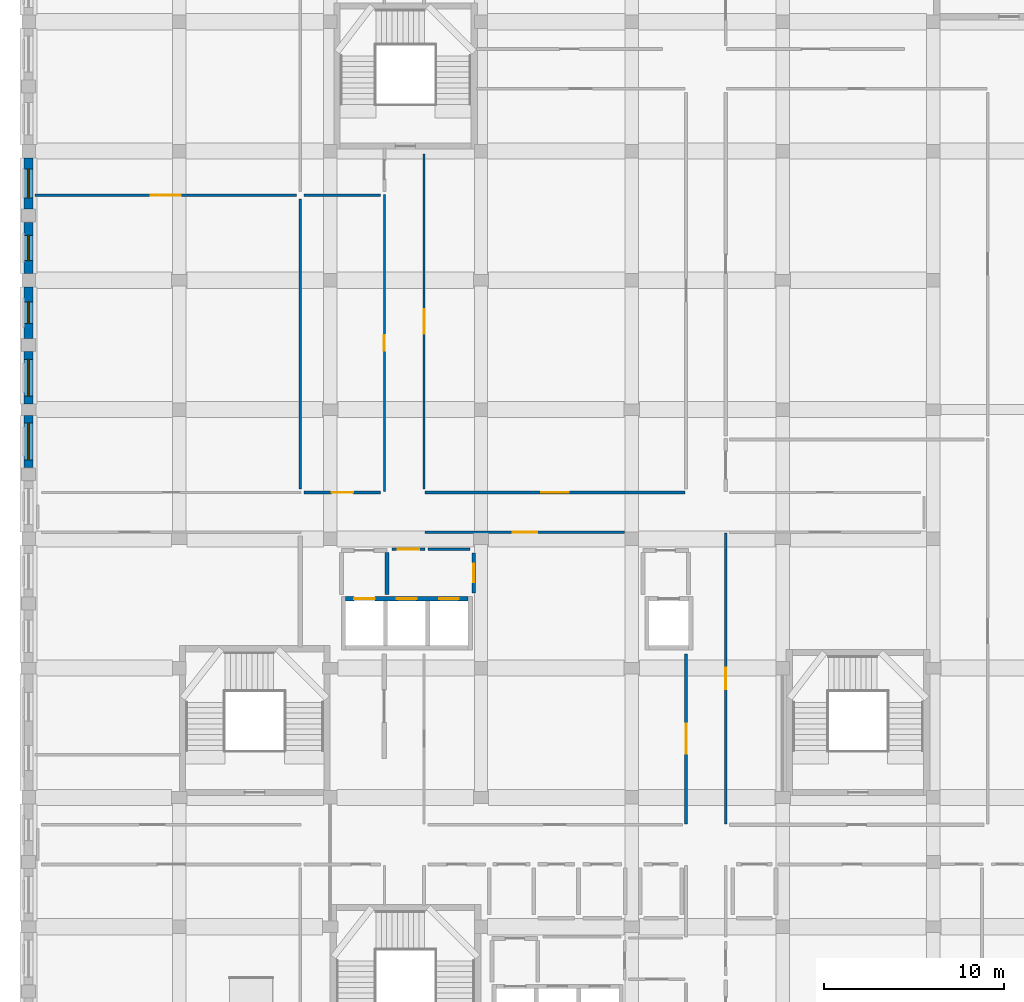
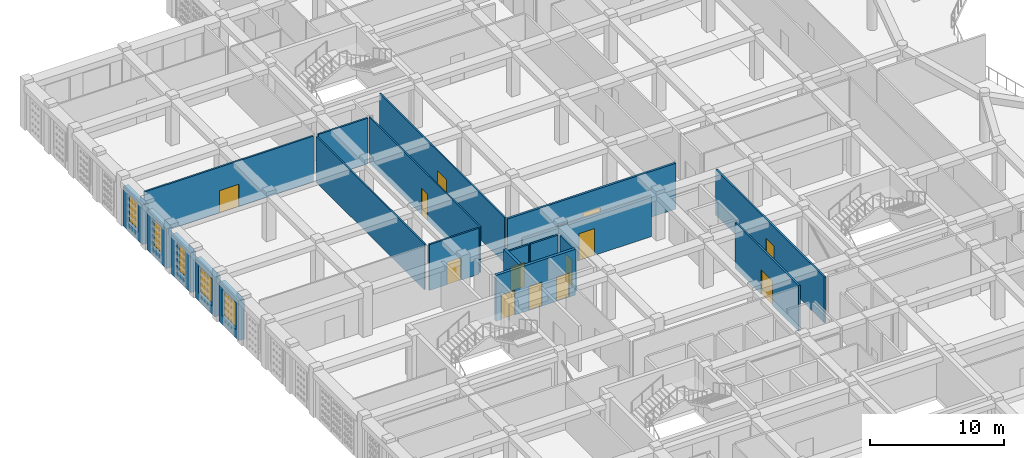
# One storey, part 59 of 111: 20 walls, 13 doors, 5 windows, 18 openings.
"""IFC4 building model written with IfcOpenShell, lengths in metres."""

import ifcopenshell
import ifcopenshell.guid

model = None  # the IFC model being written
_history = None  # IfcOwnerHistory: only IFC2X3 demands one
_inside = {}  # id of a spatial element -> (the spatial element, [elements in it])
_under = {}  # id of a project, library or spatial element -> (it, [spatial elements below it])
_declared = {}  # id of a project -> (the project, [libraries it declares])
_typed = {}  # id of a type object -> (the type object, [elements of that type])
_made_of = {}  # id of a material, layer set ... -> (it, [elements and type objects made of it])


def new_model(schema):
    """Start an empty IFC model of exactly this schema.

    Asked for "IFC4X3", IfcOpenShell would pick the latest addendum, in which some entities
    have other attributes; the version numbers below select the first issue.
    IFC2X3 requires an IfcOwnerHistory on every rooted entity: one is made here for all.
    """
    global model, _history
    if schema == "IFC4X3":
        model = ifcopenshell.file(schema_version=(4, 3, 0, 0))
    else:
        model = ifcopenshell.file(schema=schema)
    _inside.clear()
    _under.clear()
    _declared.clear()
    _typed.clear()
    _made_of.clear()
    _history = None
    if model.schema == "IFC2X3":
        org = make("IfcOrganization", Name="unknown")
        user = make(
            "IfcPersonAndOrganization",
            ThePerson=make("IfcPerson", FamilyName="unknown"),
            TheOrganization=org,
        )
        app = make(
            "IfcApplication",
            ApplicationDeveloper=org,
            Version="unknown",
            ApplicationFullName="unknown",
            ApplicationIdentifier="unknown",
        )
        _history = make(
            "IfcOwnerHistory",
            OwningUser=user,
            OwningApplication=app,
            ChangeAction="ADDED",
            CreationDate=0,
        )
    return model


def make(cls, **values):
    """One entity of the class cls with the attributes given. An attribute that is None is left unset."""
    return model.create_entity(
        cls, **{name: value for name, value in values.items() if value is not None}
    )


def rooted(cls, **values):
    """An entity with a GlobalId (a new one), such as an element, a storey or a relation."""
    return make(cls, GlobalId=ifcopenshell.guid.new(), OwnerHistory=_history, **values)


def si_unit(unit_type, name, prefix=None):
    """IfcSIUnit, for example si_unit("LENGTHUNIT", "METRE", prefix="MILLI")."""
    return make("IfcSIUnit", UnitType=unit_type, Prefix=prefix, Name=name)


def derived_unit(unit_type, elements):
    """IfcDerivedUnit: a product of units, each with its exponent."""
    return make(
        "IfcDerivedUnit",
        Elements=[
            make("IfcDerivedUnitElement", Unit=unit, Exponent=power)
            for unit, power in elements
        ],
        UnitType=unit_type,
    )


def assignment(units):
    """IfcUnitAssignment: the units of a project."""
    return None if units is None else make("IfcUnitAssignment", Units=units)


def point(xyz):
    """IfcCartesianPoint."""
    return None if xyz is None else make("IfcCartesianPoint", Coordinates=xyz)


def direction(xyz):
    """IfcDirection."""
    return None if xyz is None else make("IfcDirection", DirectionRatios=xyz)


def frame(location, z_axis=None, x_axis=None):
    """IfcAxis2Placement3D, a coordinate frame: its origin and axes. An axis left out is left unset."""
    return make(
        "IfcAxis2Placement3D",
        Location=point(location),
        Axis=direction(z_axis),
        RefDirection=direction(x_axis),
    )


def frame_2d(location, x_axis=None):
    """IfcAxis2Placement2D, a coordinate frame in the plane: its origin and x axis."""
    return make(
        "IfcAxis2Placement2D", Location=point(location), RefDirection=direction(x_axis)
    )


def origin():
    """The frame at (0, 0, 0) with its axes left unset."""
    return frame((0.0, 0.0, 0.0))


def place(relative_to, where):
    """IfcLocalPlacement: puts the frame where relative to a parent placement (None: the world)."""
    return make(
        "IfcLocalPlacement", PlacementRelTo=relative_to, RelativePlacement=where
    )


def context(
    kind, dimensions, precision=None, world=None, true_north=None, identifier=None
):
    """IfcGeometricRepresentationContext, for example the 3D "Model" context."""
    return make(
        "IfcGeometricRepresentationContext",
        ContextIdentifier=identifier,
        ContextType=kind,
        CoordinateSpaceDimension=dimensions,
        Precision=precision,
        WorldCoordinateSystem=world,
        TrueNorth=true_north,
    )


def subcontext(parent, identifier, kind, view, scale=None):
    """IfcGeometricRepresentationSubContext, for example "Body" below "Model"."""
    return make(
        "IfcGeometricRepresentationSubContext",
        ContextIdentifier=identifier,
        ContextType=kind,
        ParentContext=parent,
        TargetScale=scale,
        TargetView=view,
    )


def project(units=None, contexts=None):
    """IfcProject with its units and contexts."""
    return rooted(
        "IfcProject",
        Name="project",
        RepresentationContexts=contexts,
        UnitsInContext=assignment(units),
    )


def spatial(cls, under=None, at=None, **own):
    """A site, building, storey or space (cls), placed at a placement, below another one or the project."""
    s = rooted(cls, ObjectPlacement=at, **own)
    if under is not None:
        _under.setdefault(under.id(), (under, []))[1].append(s)
    return s


def profile(cls, at=None, kind="AREA", **sizes):
    """A parametric profile (cls). Its sizes go by their IFC names, for example OverallWidth=200.0."""
    return make(cls, ProfileType=kind, Position=at, **sizes)


def rectangle(**sizes):
    """IfcRectangleProfileDef."""
    return profile("IfcRectangleProfileDef", **sizes)


def extrude(swept, where, along, depth):
    """IfcExtrudedAreaSolid: the profile swept, set in the frame where, extruded along a direction by depth."""
    return make(
        "IfcExtrudedAreaSolid",
        SweptArea=swept,
        Position=where,
        ExtrudedDirection=direction(along),
        Depth=depth,
    )


def shape(context_of_items, identifier, shape_type, items):
    """IfcShapeRepresentation: the items that make up one representation, for example the "Body"."""
    return make(
        "IfcShapeRepresentation",
        ContextOfItems=context_of_items,
        RepresentationIdentifier=identifier,
        RepresentationType=shape_type,
        Items=items,
    )


def material(Name=None, Category=None):
    """IfcMaterial."""
    return make("IfcMaterial", Name=Name, Category=Category)


def layer(
    of_material, thickness, ventilated=None, Name=None, Category=None, Priority=None
):
    """IfcMaterialLayer: one layer of a wall or slab, of a material (None: an air gap)."""
    return make(
        "IfcMaterialLayer",
        Material=of_material,
        LayerThickness=thickness,
        IsVentilated=ventilated,
        Name=Name,
        Category=Category,
        Priority=Priority,
    )


def layer_set(layers, Name=None):
    """IfcMaterialLayerSet."""
    return make("IfcMaterialLayerSet", MaterialLayers=layers, LayerSetName=Name)


def made_of(thing, what):
    """Note that an element or type object is made of a material, layer set ...; save() writes the relation."""
    if what is not None:
        _made_of.setdefault(what.id(), (what, []))[1].append(thing)
    return thing


def type_object(cls, material=None, **own):
    """A type object (cls), such as IfcWallType, which elements share."""
    return made_of(rooted(cls, **own), material)


def element(
    cls,
    number,
    at=None,
    inside=None,
    cuts=None,
    type_object=None,
    material=None,
    context=None,
    identifier="Body",
    shape_type=None,
    held_by="IfcProductDefinitionShape",
    body=None,
    shapes=None,
    **own,
):
    """One element of the class cls, such as IfcWall. Its Tag is "e" and its number.

    at: its placement. inside: the storey or other place that contains it. cuts: it is an
    opening in that element (IfcRelVoidsElement). A single representation is given by context,
    identifier, shape_type and body (its items); several are given by shapes. held_by: the class
    of the entity that holds the representations. save() writes the other relations.
    """
    e = rooted(cls, Tag="e%d" % number, ObjectPlacement=at, **own)
    if body is not None:
        shapes = [shape(context, identifier, shape_type, body)]
    if shapes is not None:
        e.Representation = make(held_by, Representations=shapes)
    if inside is not None:
        _inside.setdefault(inside.id(), (inside, []))[1].append(e)
    if cuts is not None:
        rooted(
            "IfcRelVoidsElement", RelatingBuildingElement=cuts, RelatedOpeningElement=e
        )
    if type_object is not None:
        _typed.setdefault(type_object.id(), (type_object, []))[1].append(e)
    return made_of(e, material)


def fill(opening, filler):
    """IfcRelFillsElement: the door or window that sits in an opening."""
    return rooted(
        "IfcRelFillsElement",
        RelatingOpeningElement=opening,
        RelatedBuildingElement=filler,
    )


def aggregate(whole, parts):
    """IfcRelAggregates: a whole, such as a stair, and the parts it consists of."""
    return rooted("IfcRelAggregates", RelatingObject=whole, RelatedObjects=parts)


def save(model, path):
    """Write the relations noted so far, then the file.

    IfcRelAggregates (storeys below a building ...), IfcRelContainedInSpatialStructure (elements
    in a storey), IfcRelDefinesByType, IfcRelAssociatesMaterial and IfcRelDeclares: one each for
    every whole, place, type object, material and project.
    """
    for whole, parts in _under.values():
        aggregate(whole, parts)
    for where, things in _inside.values():
        rooted(
            "IfcRelContainedInSpatialStructure",
            RelatedElements=things,
            RelatingStructure=where,
        )
    for kind, things in _typed.values():
        rooted("IfcRelDefinesByType", RelatedObjects=things, RelatingType=kind)
    for what, things in _made_of.values():
        rooted("IfcRelAssociatesMaterial", RelatedObjects=things, RelatingMaterial=what)
    for by, libraries in _declared.values():
        rooted("IfcRelDeclares", RelatingContext=by, RelatedDefinitions=libraries)
    model.write(path)


model = new_model("IFC4")

# Units and contexts
model_context = context("Model", 3, precision=1e-05, world=origin(), true_north=direction((0.0, 1.0)))
body_context = subcontext(model_context, "Body", "Model", "MODEL_VIEW")
ifc_project = project(units=[si_unit("LENGTHUNIT", "METRE"), si_unit("AREAUNIT", "SQUARE_METRE"), si_unit("VOLUMEUNIT", "CUBIC_METRE"), si_unit("PLANEANGLEUNIT", "RADIAN"), si_unit("MASSUNIT", "GRAM", prefix="KILO"), derived_unit("THERMALTRANSMITTANCEUNIT", [(si_unit("POWERUNIT", "WATT"), 1), (si_unit("LENGTHUNIT", "METRE"), -2), (si_unit("THERMODYNAMICTEMPERATUREUNIT", "KELVIN"), -1)])], contexts=[model_context])

# Site, building, storey
site_placement = place(None, origin())
site = spatial("IfcSite", under=ifc_project, at=site_placement, CompositionType="ELEMENT")
building_placement = place(site_placement, origin())
building = spatial("IfcBuilding", under=site, at=building_placement, Name="Veybourne Emporium", CompositionType="ELEMENT")
storey_placement = place(building_placement, frame((0.0, 0.0, 9.89990234375)))
storey = spatial("IfcBuildingStorey", under=building, at=storey_placement, Name="L02", CompositionType="ELEMENT", Elevation=9.89990234375)

# Wall, opening, window
ifc_material_1 = material(Name="Portland Limestone Ashlar", Category="masonry")
ifc_layer_1 = layer(ifc_material_1, 0.47998046875)
ifc_layer_set_1 = layer_set([ifc_layer_1], Name="Portland Limestone Ashlar")
wall_type_1 = type_object("IfcWallType", Name="ExtWall_EW-01", PredefinedType="SOLIDWALL", material=ifc_layer_set_1)
wall_1_placement = place(storey_placement, frame((0.0, 47.169921875, 0.0), z_axis=(0.0, 0.0, 1.0), x_axis=(0.0, 1.0, 0.0)))
wall_1 = element("IfcWall", 1, at=wall_1_placement, inside=storey, type_object=wall_type_1, Name="L02 Portland stone external wall 006B", PredefinedType="SOLIDWALL", context=body_context, shape_type="SweptSolid", body=[
    extrude(rectangle(XDim=2.905029296875, YDim=0.47998046875, at=frame_2d((1.45263671875, 0.0))), origin(), (0.0, 0.0, 1.0), 3.630126953125),
])
opening_1_placement = place(wall_1_placement, frame((0.427490234375, 0.0, 0.75)))
opening_1 = element("IfcOpeningElement", 2, at=opening_1_placement, cuts=wall_1, Name="Opening W-31", PredefinedType="OPENING", context=body_context, shape_type="SweptSolid", body=[
    extrude(rectangle(XDim=2.050048828125, YDim=2.43994140625, at=frame_2d((1.02490234375, 1.219970703125))), frame((0.0, 0.260009765625, 0.0), z_axis=(0.0, -1.0, 0.0), x_axis=(1.0, 0.0, 0.0)), (0.0, 0.0, 1.0), 0.52001953125),
])
ifc_material_2 = material(Name="Low-E Triple Glazing", Category="glass")
window_type_1 = type_object("IfcWindowType", Name="Win_W-31", PartitioningType="TRIPLE_PANEL_VERTICAL", PredefinedType="WINDOW", material=ifc_material_2)
window_1_placement = place(opening_1_placement, origin())
window_1 = element("IfcWindow", 3, at=window_1_placement, inside=storey, type_object=window_type_1, Name="L02 tripartite bronze casement window W-31 (6B)", OverallHeight=2.43994140625, OverallWidth=2.050048828125, PartitioningType="TRIPLE_PANEL_VERTICAL", PredefinedType="WINDOW", context=body_context, shape_type="SweptSolid", body=[
    extrude(rectangle(XDim=2.050048828125, YDim=2.43994140625, at=frame_2d((1.02490234375, 1.219970703125))), frame((0.0, 0.030029296875, 0.0), z_axis=(0.0, -1.0, 0.0), x_axis=(1.0, 0.0, 0.0)), (0.0, 0.0, 1.0), 0.06005859375),
])
fill(opening_1, window_1)

wall_2_placement = place(storey_placement, frame((0.0, 50.72509765625, 0.0), z_axis=(0.0, 0.0, 1.0), x_axis=(0.0, 1.0, 0.0)))
wall_2 = element("IfcWall", 4, at=wall_2_placement, inside=storey, type_object=wall_type_1, Name="L02 Portland stone external wall 007A", PredefinedType="SOLIDWALL", context=body_context, shape_type="SweptSolid", body=[
    extrude(rectangle(XDim=2.90478515625, YDim=0.47998046875, at=frame_2d((1.452392578125, 0.0))), origin(), (0.0, 0.0, 1.0), 3.630126953125),
])
opening_2_placement = place(wall_2_placement, frame((0.427490234375, 0.0, 0.75)))
opening_2 = element("IfcOpeningElement", 5, at=opening_2_placement, cuts=wall_2, Name="Opening W-32", PredefinedType="OPENING", context=body_context, shape_type="SweptSolid", body=[
    extrude(rectangle(XDim=2.050048828125, YDim=2.43994140625, at=frame_2d((1.02490234375, 1.219970703125))), frame((0.0, 0.260009765625, 0.0), z_axis=(0.0, -1.0, 0.0), x_axis=(1.0, 0.0, 0.0)), (0.0, 0.0, 1.0), 0.52001953125),
])
window_type_2 = type_object("IfcWindowType", Name="Win_W-32", PartitioningType="TRIPLE_PANEL_VERTICAL", PredefinedType="WINDOW", material=ifc_material_2)
window_2_placement = place(opening_2_placement, origin())
window_2 = element("IfcWindow", 6, at=window_2_placement, inside=storey, type_object=window_type_2, Name="L02 tripartite bronze casement window W-32 (7A)", OverallHeight=2.43994140625, OverallWidth=2.050048828125, PartitioningType="TRIPLE_PANEL_VERTICAL", PredefinedType="WINDOW", context=body_context, shape_type="SweptSolid", body=[
    extrude(rectangle(XDim=2.050048828125, YDim=2.43994140625, at=frame_2d((1.02490234375, 1.219970703125))), frame((0.0, 0.030029296875, 0.0), z_axis=(0.0, -1.0, 0.0), x_axis=(1.0, 0.0, 0.0)), (0.0, 0.0, 1.0), 0.06005859375),
])
fill(opening_2, window_2)

wall_3_placement = place(storey_placement, frame((0.0, 54.3701171875, 0.0), z_axis=(0.0, 0.0, 1.0), x_axis=(0.0, 1.0, 0.0)))
wall_3 = element("IfcWall", 7, at=wall_3_placement, inside=storey, type_object=wall_type_1, Name="L02 Portland stone external wall 007B", PredefinedType="SOLIDWALL", context=body_context, shape_type="SweptSolid", body=[
    extrude(rectangle(XDim=2.85498046875, YDim=0.47998046875, at=frame_2d((1.427490234375, 0.0))), origin(), (0.0, 0.0, 1.0), 3.630126953125),
])
opening_3_placement = place(wall_3_placement, frame((0.827392578125, 0.0, 0.75)))
opening_3 = element("IfcOpeningElement", 8, at=opening_3_placement, cuts=wall_3, Name="Opening W-33", PredefinedType="OPENING", context=body_context, shape_type="SweptSolid", body=[
    extrude(rectangle(XDim=1.199951171875, YDim=2.6201171875, at=frame_2d((0.60009765625, 1.31005859375))), frame((0.0, 0.260009765625, 0.0), z_axis=(0.0, -1.0, 0.0), x_axis=(1.0, 0.0, 0.0)), (0.0, 0.0, 1.0), 0.52001953125),
])
window_type_3 = type_object("IfcWindowType", Name="Win_W-33", PartitioningType="SINGLE_PANEL", PredefinedType="WINDOW", material=ifc_material_2)
window_3_placement = place(opening_3_placement, origin())
window_3 = element("IfcWindow", 9, at=window_3_placement, inside=storey, type_object=window_type_3, Name="L02 tripartite bronze casement window W-33 (7B)", OverallHeight=2.6201171875, OverallWidth=1.199951171875, PartitioningType="SINGLE_PANEL", PredefinedType="WINDOW", context=body_context, shape_type="SweptSolid", body=[
    extrude(rectangle(XDim=1.199951171875, YDim=2.6201171875, at=frame_2d((0.60009765625, 1.31005859375))), frame((0.0, 0.030029296875, 0.0), z_axis=(0.0, -1.0, 0.0), x_axis=(1.0, 0.0, 0.0)), (0.0, 0.0, 1.0), 0.06005859375),
])
fill(opening_3, window_3)

wall_4_placement = place(storey_placement, frame((0.0, 57.97509765625, 0.0), z_axis=(0.0, 0.0, 1.0), x_axis=(0.0, 1.0, 0.0)))
wall_4 = element("IfcWall", 10, at=wall_4_placement, inside=storey, type_object=wall_type_1, Name="L02 Portland stone external wall 008A", PredefinedType="SOLIDWALL", context=body_context, shape_type="SweptSolid", body=[
    extrude(rectangle(XDim=2.85498046875, YDim=0.47998046875, at=frame_2d((1.427490234375, 0.0))), origin(), (0.0, 0.0, 1.0), 3.630126953125),
])
opening_4_placement = place(wall_4_placement, frame((0.7275390625, 0.0, 0.75)))
opening_4 = element("IfcOpeningElement", 11, at=opening_4_placement, cuts=wall_4, Name="Opening W-34", PredefinedType="OPENING", context=body_context, shape_type="SweptSolid", body=[
    extrude(rectangle(XDim=1.39990234375, YDim=2.6201171875, at=frame_2d((0.699951171875, 1.31005859375))), frame((0.0, 0.260009765625, 0.0), z_axis=(0.0, -1.0, 0.0), x_axis=(1.0, 0.0, 0.0)), (0.0, 0.0, 1.0), 0.52001953125),
])
window_type_4 = type_object("IfcWindowType", Name="Win_W-34", PartitioningType="DOUBLE_PANEL_VERTICAL", PredefinedType="WINDOW", material=ifc_material_2)
window_4_placement = place(opening_4_placement, origin())
window_4 = element("IfcWindow", 12, at=window_4_placement, inside=storey, type_object=window_type_4, Name="L02 tripartite bronze casement window W-34 (8A)", OverallHeight=2.6201171875, OverallWidth=1.39990234375, PartitioningType="DOUBLE_PANEL_VERTICAL", PredefinedType="WINDOW", context=body_context, shape_type="SweptSolid", body=[
    extrude(rectangle(XDim=1.39990234375, YDim=2.6201171875, at=frame_2d((0.699951171875, 1.31005859375))), frame((0.0, 0.030029296875, 0.0), z_axis=(0.0, -1.0, 0.0), x_axis=(1.0, 0.0, 0.0)), (0.0, 0.0, 1.0), 0.06005859375),
])
fill(opening_4, window_4)

wall_5_placement = place(storey_placement, frame((0.0, 61.570068359375, 0.0), z_axis=(0.0, 0.0, 1.0), x_axis=(0.0, 1.0, 0.0)))
wall_5 = element("IfcWall", 13, at=wall_5_placement, inside=storey, type_object=wall_type_1, Name="L02 Portland stone external wall 008B", PredefinedType="SOLIDWALL", context=body_context, shape_type="SweptSolid", body=[
    extrude(rectangle(XDim=2.85498046875, YDim=0.47998046875, at=frame_2d((1.427490234375, 0.0))), origin(), (0.0, 0.0, 1.0), 3.630126953125),
])
opening_5_placement = place(wall_5_placement, frame((0.62744140625, 0.0, 0.75)))
opening_5 = element("IfcOpeningElement", 14, at=opening_5_placement, cuts=wall_5, Name="Opening W-35", PredefinedType="OPENING", context=body_context, shape_type="SweptSolid", body=[
    extrude(rectangle(XDim=1.60009765625, YDim=2.6201171875, at=frame_2d((0.800048828125, 1.31005859375))), frame((0.0, 0.260009765625, 0.0), z_axis=(0.0, -1.0, 0.0), x_axis=(1.0, 0.0, 0.0)), (0.0, 0.0, 1.0), 0.52001953125),
])
window_type_5 = type_object("IfcWindowType", Name="Win_W-35", PartitioningType="DOUBLE_PANEL_VERTICAL", PredefinedType="WINDOW", material=ifc_material_2)
window_5_placement = place(opening_5_placement, origin())
window_5 = element("IfcWindow", 15, at=window_5_placement, inside=storey, type_object=window_type_5, Name="L02 tripartite bronze casement window W-35 (8B)", OverallHeight=2.6201171875, OverallWidth=1.60009765625, PartitioningType="DOUBLE_PANEL_VERTICAL", PredefinedType="WINDOW", context=body_context, shape_type="SweptSolid", body=[
    extrude(rectangle(XDim=1.60009765625, YDim=2.6201171875, at=frame_2d((0.800048828125, 1.31005859375))), frame((0.0, 0.030029296875, 0.0), z_axis=(0.0, -1.0, 0.0), x_axis=(1.0, 0.0, 0.0)), (0.0, 0.0, 1.0), 0.06005859375),
])
fill(opening_5, window_5)

# Wall, openings, doors
ifc_material_3 = material(Name="Concrete C40/50", Category="concrete")
ifc_layer_2 = layer(ifc_material_3, 0.239990234375)
ifc_layer_set_2 = layer_set([ifc_layer_2], Name="Concrete C40/50")
wall_type_2 = type_object("IfcWallType", Name="IntWall_CW-04", PredefinedType="SHEAR", material=ifc_layer_set_2)
wall_6_placement = place(storey_placement, frame((24.47998046875, 39.8701171875, 0.0), z_axis=(0.0, 0.0, 1.0), x_axis=(-1.0, 0.0, 0.0)))
wall_6 = element("IfcWall", 16, at=wall_6_placement, inside=storey, type_object=wall_type_2, Name="Lift core C2 north shaft wall (L02)", PredefinedType="SHEAR", context=body_context, shape_type="SweptSolid", body=[
    extrude(rectangle(XDim=6.820068359375, YDim=0.239990234375, at=frame_2d((3.41015625, 0.0))), origin(), (0.0, 0.0, 1.0), 4.18017578125),
])
opening_6_placement = place(wall_6_placement, frame((5.195068359375, 0.0, 0.0)))
opening_6 = element("IfcOpeningElement", 17, at=opening_6_placement, cuts=wall_6, Name="Opening LD-02", PredefinedType="OPENING", context=body_context, shape_type="SweptSolid", body=[
    extrude(rectangle(XDim=1.14990234375, YDim=2.25, at=frame_2d((0.574951171875, 1.125))), frame((0.0, 0.14013671875, 0.0), z_axis=(0.0, -1.0, 0.0), x_axis=(1.0, 0.0, 0.0)), (0.0, 0.0, 1.0), 0.280029296875),
])
opening_7_placement = place(wall_6_placement, frame((2.8701171875, 0.0, 0.0)))
opening_7 = element("IfcOpeningElement", 18, at=opening_7_placement, cuts=wall_6, Name="Opening LD-01", PredefinedType="OPENING", context=body_context, shape_type="SweptSolid", body=[
    extrude(rectangle(XDim=1.10009765625, YDim=2.199951171875, at=frame_2d((0.550048828125, 1.10009765625))), frame((0.0, 0.14013671875, 0.0), z_axis=(0.0, -1.0, 0.0), x_axis=(1.0, 0.0, 0.0)), (0.0, 0.0, 1.0), 0.280029296875),
])
opening_8_placement = place(wall_6_placement, frame((0.510009765625, 0.0, 0.0)))
opening_8 = element("IfcOpeningElement", 19, at=opening_8_placement, cuts=wall_6, Name="Opening LD-01", PredefinedType="OPENING", context=body_context, shape_type="SweptSolid", body=[
    extrude(rectangle(XDim=1.10009765625, YDim=2.199951171875, at=frame_2d((0.550048828125, 1.10009765625))), frame((0.0, 0.14013671875, 0.0), z_axis=(0.0, -1.0, 0.0), x_axis=(1.0, 0.0, 0.0)), (0.0, 0.0, 1.0), 0.280029296875),
])
ifc_material_4 = material(Name="Patinated Architectural Bronze", Category="bronze")
door_type_1 = type_object("IfcDoorType", Name="FireDoor_LD-01", OperationType="DOUBLE_DOOR_SLIDING", PredefinedType="DOOR", material=ifc_material_4)
door_1_placement = place(opening_7_placement, origin())
door_1 = element("IfcDoor", 20, at=door_1_placement, inside=storey, type_object=door_type_1, Name="Lift PL-03 sliding landing door (L02)", OperationType="DOUBLE_DOOR_SLIDING", OverallHeight=2.199951171875, OverallWidth=1.10009765625, PredefinedType="DOOR", context=body_context, shape_type="SweptSolid", body=[
    extrude(rectangle(XDim=1.10009765625, YDim=2.199951171875, at=frame_2d((0.550048828125, 1.10009765625))), frame((0.0, 0.02490234375, 0.0), z_axis=(0.0, -1.0, 0.0), x_axis=(1.0, 0.0, 0.0)), (0.0, 0.0, 1.0), 0.050048828125),
])
fill(opening_7, door_1)
door_2_placement = place(opening_8_placement, origin())
door_2 = element("IfcDoor", 21, at=door_2_placement, inside=storey, type_object=door_type_1, Name="Lift PL-04 sliding landing door (L02)", OperationType="DOUBLE_DOOR_SLIDING", OverallHeight=2.199951171875, OverallWidth=1.10009765625, PredefinedType="DOOR", context=body_context, shape_type="SweptSolid", body=[
    extrude(rectangle(XDim=1.10009765625, YDim=2.199951171875, at=frame_2d((0.550048828125, 1.10009765625))), frame((0.0, 0.02490234375, 0.0), z_axis=(0.0, -1.0, 0.0), x_axis=(1.0, 0.0, 0.0)), (0.0, 0.0, 1.0), 0.050048828125),
])
fill(opening_8, door_2)
door_type_2 = type_object("IfcDoorType", Name="FireDoor_LD-02", OperationType="SLIDING_TO_LEFT", PredefinedType="DOOR", material=ifc_material_4)
door_3_placement = place(opening_6_placement, origin())
door_3 = element("IfcDoor", 22, at=door_3_placement, inside=storey, type_object=door_type_2, Name="Lift FFL-02 sliding landing door (L02)", OperationType="SLIDING_TO_LEFT", OverallHeight=2.25, OverallWidth=1.14990234375, PredefinedType="DOOR", context=body_context, shape_type="SweptSolid", body=[
    extrude(rectangle(XDim=1.14990234375, YDim=2.25, at=frame_2d((0.574951171875, 1.125))), frame((0.0, 0.02490234375, 0.0), z_axis=(0.0, -1.0, 0.0), x_axis=(1.0, 0.0, 0.0)), (0.0, 0.0, 1.0), 0.050048828125),
])
fill(opening_6, door_3)

# Wall
ifc_material_5 = material(Name="Concrete C32/40", Category="concrete")
ifc_layer_3 = layer(ifc_material_5, 0.219970703125)
ifc_layer_set_3 = layer_set([ifc_layer_3], Name="Concrete C32/40")
wall_type_3 = type_object("IfcWallType", Name="IntWall_FW-02", PredefinedType="SOLIDWALL", material=ifc_layer_set_3)
wall_7_placement = place(storey_placement, frame((19.9599609375, 40.110107421875, 0.0), z_axis=(0.0, 0.0, 1.0), x_axis=(0.0, 1.0, 0.0)))
element("IfcWall", 23, at=wall_7_placement, inside=storey, type_object=wall_type_3, Name="Firefighting lobby C2 fire wall E (L02)", PredefinedType="SOLIDWALL", context=body_context, shape_type="SweptSolid", body=[
    extrude(rectangle(XDim=2.31982421875, YDim=0.219970703125, at=frame_2d((1.159912109375, 0.0))), origin(), (0.0, 0.0, 1.0), 4.18017578125),
])

# Wall, opening, door
ifc_material_6 = material(Name="Gypsum Acoustic Board", Category="gypsum")
ifc_layer_4 = layer(ifc_material_6, 0.179931640625)
ifc_layer_set_4 = layer_set([ifc_layer_4], Name="Gypsum Acoustic Board")
wall_type_4 = type_object("IfcWallType", Name="IntWall_IW-01", PredefinedType="PARTITIONING", material=ifc_layer_set_4)
wall_8_placement = place(storey_placement, frame((22.080078125, 45.780029296875, 0.0), z_axis=(0.0, 0.0, 1.0), x_axis=(1.0, 0.0, 0.0)))
wall_8 = element("IfcWall", 24, at=wall_8_placement, inside=storey, type_object=wall_type_4, Name="L02 interior partition IW-01 #015", PredefinedType="PARTITIONING", context=body_context, shape_type="SweptSolid", body=[
    extrude(rectangle(XDim=14.489990234375, YDim=0.179931640625, at=frame_2d((7.2451171875, 0.0))), origin(), (0.0, 0.0, 1.0), 4.18017578125),
])
opening_9_placement = place(wall_8_placement, frame((6.485107421875, 0.0, 0.0)))
opening_9 = element("IfcOpeningElement", 25, at=opening_9_placement, cuts=wall_8, Name="Opening D-35", PredefinedType="OPENING", context=body_context, shape_type="SweptSolid", body=[
    extrude(rectangle(XDim=1.52001953125, YDim=2.449951171875, at=frame_2d((0.760009765625, 1.22509765625))), frame((0.0, 0.10986328125, 0.0), z_axis=(0.0, -1.0, 0.0), x_axis=(1.0, 0.0, 0.0)), (0.0, 0.0, 1.0), 0.219970703125),
])
ifc_material_7 = material(Name="European Oak Veneer and Bronze", Category="wood")
door_type_3 = type_object("IfcDoorType", Name="IntDoor_D-35", OperationType="NOTDEFINED", PredefinedType="DOOR", material=ifc_material_7)
door_4_placement = place(opening_9_placement, origin())
door_4 = element("IfcDoor", 26, at=door_4_placement, inside=storey, type_object=door_type_3, Name="L02 interior door D-35 (PART-L02-015)", OperationType="SINGLE_SWING_LEFT", OverallHeight=2.449951171875, OverallWidth=1.52001953125, PredefinedType="DOOR", context=body_context, shape_type="SweptSolid", body=[
    extrude(rectangle(XDim=1.52001953125, YDim=2.449951171875, at=frame_2d((0.760009765625, 1.22509765625))), frame((0.0, 0.02490234375, 0.0), z_axis=(0.0, -1.0, 0.0), x_axis=(1.0, 0.0, 0.0)), (0.0, 0.0, 1.0), 0.050048828125),
])
fill(opening_9, door_4)

wall_9_placement = place(storey_placement, frame((24.800048828125, 40.177978515625, 0.0), z_axis=(0.0, 0.0, 1.0), x_axis=(0.0, 1.0, 0.0)))
wall_9 = element("IfcWall", 27, at=wall_9_placement, inside=storey, type_object=wall_type_4, Name="L02 interior partition IW-01 #120", PredefinedType="PARTITIONING", context=body_context, shape_type="SweptSolid", body=[
    extrude(rectangle(XDim=2.241943359375, YDim=0.179931640625, at=frame_2d((1.12109375, 0.0))), origin(), (0.0, 0.0, 1.0), 3.72998046875),
])
opening_10_placement = place(wall_9_placement, frame((0.60107421875, 0.0, 0.0)))
opening_10 = element("IfcOpeningElement", 28, at=opening_10_placement, cuts=wall_9, Name="Opening D-32", PredefinedType="OPENING", context=body_context, shape_type="SweptSolid", body=[
    extrude(rectangle(XDim=1.0400390625, YDim=2.449951171875, at=frame_2d((0.52001953125, 1.22509765625))), frame((0.0, 0.10986328125, 0.0), z_axis=(0.0, -1.0, 0.0), x_axis=(1.0, 0.0, 0.0)), (0.0, 0.0, 1.0), 0.219970703125),
])
door_type_4 = type_object("IfcDoorType", Name="IntDoor_D-32", OperationType="NOTDEFINED", PredefinedType="DOOR", material=ifc_material_7)
door_5_placement = place(opening_10_placement, origin())
door_5 = element("IfcDoor", 29, at=door_5_placement, inside=storey, type_object=door_type_4, Name="L02 interior door D-32 (PART-L02-120)", OperationType="SINGLE_SWING_RIGHT", OverallHeight=2.449951171875, OverallWidth=1.0400390625, PredefinedType="DOOR", context=body_context, shape_type="SweptSolid", body=[
    extrude(rectangle(XDim=1.0400390625, YDim=2.449951171875, at=frame_2d((0.52001953125, 1.22509765625))), frame((0.0, 0.02490234375, 0.0), z_axis=(0.0, -1.0, 0.0), x_axis=(1.0, 0.0, 0.0)), (0.0, 0.0, 1.0), 0.050048828125),
])
fill(opening_10, door_5)

ifc_layer_5 = layer(ifc_material_6, 0.14990234375)
ifc_layer_set_5 = layer_set([ifc_layer_5], Name="Gypsum Acoustic Board")
wall_type_5 = type_object("IfcWallType", Name="IntWall_IW-02", PredefinedType="PARTITIONING", material=ifc_layer_set_5)
wall_10_placement = place(storey_placement, frame((38.830078125, 27.330078125, 0.0), z_axis=(0.0, 0.0, 1.0), x_axis=(0.0, 1.0, 0.0)))
wall_10 = element("IfcWall", 30, at=wall_10_placement, inside=storey, type_object=wall_type_5, Name="L02 interior partition IW-02 #013", PredefinedType="PARTITIONING", context=body_context, shape_type="SweptSolid", body=[
    extrude(rectangle(XDim=16.18994140625, YDim=0.14990234375, at=frame_2d((8.094970703125, 0.0))), origin(), (0.0, 0.0, 1.0), 4.18017578125),
])
opening_11_placement = place(wall_10_placement, frame((7.4951171875, 0.0, 0.0)))
opening_11 = element("IfcOpeningElement", 31, at=opening_11_placement, cuts=wall_10, Name="Opening D-33", PredefinedType="OPENING", context=body_context, shape_type="SweptSolid", body=[
    extrude(rectangle(XDim=1.199951171875, YDim=2.449951171875, at=frame_2d((0.60009765625, 1.22509765625))), frame((0.0, 0.094970703125, 0.0), z_axis=(0.0, -1.0, 0.0), x_axis=(1.0, 0.0, 0.0)), (0.0, 0.0, 1.0), 0.18994140625),
])
door_type_5 = type_object("IfcDoorType", Name="IntDoor_D-33", OperationType="NOTDEFINED", PredefinedType="DOOR", material=ifc_material_7)
door_6_placement = place(opening_11_placement, origin())
door_6 = element("IfcDoor", 32, at=door_6_placement, inside=storey, type_object=door_type_5, Name="L02 interior door D-33 (PART-L02-013)", OperationType="SINGLE_SWING_LEFT", OverallHeight=2.449951171875, OverallWidth=1.199951171875, PredefinedType="DOOR", context=body_context, shape_type="SweptSolid", body=[
    extrude(rectangle(XDim=1.199951171875, YDim=2.449951171875, at=frame_2d((0.60009765625, 1.22509765625))), frame((0.0, 0.02490234375, 0.0), z_axis=(0.0, -1.0, 0.0), x_axis=(1.0, 0.0, 0.0)), (0.0, 0.0, 1.0), 0.050048828125),
])
fill(opening_11, door_6)

wall_11_placement = place(storey_placement, frame((36.6201171875, 27.330078125, 0.0), z_axis=(0.0, 0.0, 1.0), x_axis=(0.0, 1.0, 0.0)))
wall_11 = element("IfcWall", 33, at=wall_11_placement, inside=storey, type_object=wall_type_5, Name="L02 interior partition IW-02 #070", PredefinedType="PARTITIONING", context=body_context, shape_type="SweptSolid", body=[
    extrude(rectangle(XDim=9.469970703125, YDim=0.14990234375, at=frame_2d((4.73486328125, 0.0))), origin(), (0.0, 0.0, 1.0), 4.18017578125),
])
opening_12_placement = place(wall_11_placement, frame((3.89501953125, 0.0, 0.0)))
opening_12 = element("IfcOpeningElement", 34, at=opening_12_placement, cuts=wall_11, Name="Opening D-18", PredefinedType="OPENING", context=body_context, shape_type="SweptSolid", body=[
    extrude(rectangle(XDim=1.679931640625, YDim=2.2099609375, at=frame_2d((0.83984375, 1.10498046875))), frame((0.0, 0.094970703125, 0.0), z_axis=(0.0, -1.0, 0.0), x_axis=(1.0, 0.0, 0.0)), (0.0, 0.0, 1.0), 0.18994140625),
])
door_type_6 = type_object("IfcDoorType", Name="IntDoor_D-18", OperationType="DOUBLE_DOOR_SINGLE_SWING", PredefinedType="DOOR", material=ifc_material_7)
door_7_placement = place(opening_12_placement, origin())
door_7 = element("IfcDoor", 35, at=door_7_placement, inside=storey, type_object=door_type_6, Name="L02 interior door D-18 (PART-L02-070)", OperationType="DOUBLE_DOOR_SINGLE_SWING", OverallHeight=2.2099609375, OverallWidth=1.679931640625, PredefinedType="DOOR", context=body_context, shape_type="SweptSolid", body=[
    extrude(rectangle(XDim=1.679931640625, YDim=2.2099609375, at=frame_2d((0.83984375, 1.10498046875))), frame((0.0, 0.02490234375, 0.0), z_axis=(0.0, -1.0, 0.0), x_axis=(1.0, 0.0, 0.0)), (0.0, 0.0, 1.0), 0.050048828125),
])
fill(opening_12, door_7)

wall_12_placement = place(storey_placement, frame((15.340087890625, 45.780029296875, 0.0), z_axis=(0.0, 0.0, 1.0), x_axis=(1.0, 0.0, 0.0)))
wall_12 = element("IfcWall", 36, at=wall_12_placement, inside=storey, type_object=wall_type_5, Name="L02 interior partition IW-02 #091", PredefinedType="PARTITIONING", context=body_context, shape_type="SweptSolid", body=[
    extrude(rectangle(XDim=4.27001953125, YDim=0.14990234375, at=frame_2d((2.135009765625, 0.0))), origin(), (0.0, 0.0, 1.0), 4.18017578125),
])
opening_13_placement = place(wall_12_placement, frame((1.534912109375, 0.0, 0.0)))
opening_13 = element("IfcOpeningElement", 37, at=opening_13_placement, cuts=wall_12, Name="Opening D-03", PredefinedType="OPENING", context=body_context, shape_type="SweptSolid", body=[
    extrude(rectangle(XDim=1.199951171875, YDim=2.050048828125, at=frame_2d((0.60009765625, 1.02490234375))), frame((0.0, 0.094970703125, 0.0), z_axis=(0.0, -1.0, 0.0), x_axis=(1.0, 0.0, 0.0)), (0.0, 0.0, 1.0), 0.18994140625),
])
door_type_7 = type_object("IfcDoorType", Name="IntDoor_D-03", OperationType="NOTDEFINED", PredefinedType="DOOR", material=ifc_material_7)
door_8_placement = place(opening_13_placement, origin())
door_8 = element("IfcDoor", 38, at=door_8_placement, inside=storey, type_object=door_type_7, Name="L02 interior door D-03 (PART-L02-091)", OperationType="SINGLE_SWING_RIGHT", OverallHeight=2.050048828125, OverallWidth=1.199951171875, PredefinedType="DOOR", context=body_context, shape_type="SweptSolid", body=[
    extrude(rectangle(XDim=1.199951171875, YDim=2.050048828125, at=frame_2d((0.60009765625, 1.02490234375))), frame((0.0, 0.02490234375, 0.0), z_axis=(0.0, -1.0, 0.0), x_axis=(1.0, 0.0, 0.0)), (0.0, 0.0, 1.0), 0.050048828125),
])
fill(opening_13, door_8)

# Wall
wall_13_placement = place(storey_placement, frame((22.239990234375, 42.6298828125, 0.0), z_axis=(0.0, 0.0, 1.0), x_axis=(1.0, 0.0, 0.0)))
element("IfcWall", 39, at=wall_13_placement, inside=storey, type_object=wall_type_5, Name="L02 interior partition IW-02 #118", PredefinedType="PARTITIONING", context=body_context, shape_type="SweptSolid", body=[
    extrude(rectangle(XDim=2.35009765625, YDim=0.14990234375, at=frame_2d((1.175048828125, 0.0))), origin(), (0.0, 0.0, 1.0), 3.72998046875),
])

# Wall, opening, door
wall_14_placement = place(storey_placement, frame((20.25, 42.6298828125, 0.0), z_axis=(0.0, 0.0, 1.0), x_axis=(1.0, 0.0, 0.0)))
wall_14 = element("IfcWall", 40, at=wall_14_placement, inside=storey, type_object=wall_type_5, Name="L02 interior partition IW-02 #139", PredefinedType="PARTITIONING", context=body_context, shape_type="SweptSolid", body=[
    extrude(rectangle(XDim=1.830078125, YDim=0.14990234375, at=frame_2d((0.9150390625, 0.0))), origin(), (0.0, 0.0, 1.0), 3.72998046875),
])
opening_14_placement = place(wall_14_placement, frame((0.31494140625, 0.0, 0.0)))
opening_14 = element("IfcOpeningElement", 41, at=opening_14_placement, cuts=wall_14, Name="Opening D-15", PredefinedType="OPENING", context=body_context, shape_type="SweptSolid", body=[
    extrude(rectangle(XDim=1.199951171875, YDim=2.2099609375, at=frame_2d((0.60009765625, 1.10498046875))), frame((0.0, 0.094970703125, 0.0), z_axis=(0.0, -1.0, 0.0), x_axis=(1.0, 0.0, 0.0)), (0.0, 0.0, 1.0), 0.18994140625),
])
door_type_8 = type_object("IfcDoorType", Name="IntDoor_D-15", OperationType="NOTDEFINED", PredefinedType="DOOR", material=ifc_material_7)
door_9_placement = place(opening_14_placement, origin())
door_9 = element("IfcDoor", 42, at=door_9_placement, inside=storey, type_object=door_type_8, Name="L02 interior door D-15 (PART-L02-139)", OperationType="SINGLE_SWING_LEFT", OverallHeight=2.2099609375, OverallWidth=1.199951171875, PredefinedType="DOOR", context=body_context, shape_type="SweptSolid", body=[
    extrude(rectangle(XDim=1.199951171875, YDim=2.2099609375, at=frame_2d((0.60009765625, 1.10498046875))), frame((0.0, 0.02490234375, 0.0), z_axis=(0.0, -1.0, 0.0), x_axis=(1.0, 0.0, 0.0)), (0.0, 0.0, 1.0), 0.050048828125),
])
fill(opening_14, door_9)

wall_15_placement = place(storey_placement, frame((0.3701171875, 62.340087890625, 0.0), z_axis=(0.0, 0.0, 1.0), x_axis=(1.0, 0.0, 0.0)))
wall_15 = element("IfcWall", 43, at=wall_15_placement, inside=storey, type_object=wall_type_5, Name="L02 interior partition IW-02 #169", PredefinedType="PARTITIONING", context=body_context, shape_type="SweptSolid", body=[
    extrude(rectangle(XDim=14.5498046875, YDim=0.14990234375, at=frame_2d((7.27490234375, 0.0))), origin(), (0.0, 0.0, 1.0), 4.18017578125),
])
opening_15_placement = place(wall_15_placement, frame((6.43505859375, 0.0, 0.0)))
opening_15 = element("IfcOpeningElement", 44, at=opening_15_placement, cuts=wall_15, Name="Opening D-06", PredefinedType="OPENING", context=body_context, shape_type="SweptSolid", body=[
    extrude(rectangle(XDim=1.679931640625, YDim=2.050048828125, at=frame_2d((0.83984375, 1.02490234375))), frame((0.0, 0.094970703125, 0.0), z_axis=(0.0, -1.0, 0.0), x_axis=(1.0, 0.0, 0.0)), (0.0, 0.0, 1.0), 0.18994140625),
])
door_type_9 = type_object("IfcDoorType", Name="IntDoor_D-06", OperationType="DOUBLE_DOOR_SINGLE_SWING", PredefinedType="DOOR", material=ifc_material_7)
door_10_placement = place(opening_15_placement, origin())
door_10 = element("IfcDoor", 45, at=door_10_placement, inside=storey, type_object=door_type_9, Name="L02 interior door D-06 (PART-L02-169)", OperationType="DOUBLE_DOOR_SINGLE_SWING", OverallHeight=2.050048828125, OverallWidth=1.679931640625, PredefinedType="DOOR", context=body_context, shape_type="SweptSolid", body=[
    extrude(rectangle(XDim=1.679931640625, YDim=2.050048828125, at=frame_2d((0.83984375, 1.02490234375))), frame((0.0, 0.02490234375, 0.0), z_axis=(0.0, -1.0, 0.0), x_axis=(1.0, 0.0, 0.0)), (0.0, 0.0, 1.0), 0.050048828125),
])
fill(opening_15, door_10)

# Wall
wall_16_placement = place(storey_placement, frame((15.340087890625, 62.340087890625, 0.0), z_axis=(0.0, 0.0, 1.0), x_axis=(1.0, 0.0, 0.0)))
element("IfcWall", 46, at=wall_16_placement, inside=storey, type_object=wall_type_5, Name="L02 interior partition IW-02 #196", PredefinedType="PARTITIONING", context=body_context, shape_type="SweptSolid", body=[
    extrude(rectangle(XDim=4.27001953125, YDim=0.14990234375, at=frame_2d((2.135009765625, 0.0))), origin(), (0.0, 0.0, 1.0), 4.18017578125),
])

# Wall, opening, door
ifc_layer_6 = layer(ifc_material_6, 0.1201171875)
ifc_layer_set_6 = layer_set([ifc_layer_6], Name="Gypsum Acoustic Board")
wall_type_6 = type_object("IfcWallType", Name="IntWall_IW-03", PredefinedType="PARTITIONING", material=ifc_layer_set_6)
wall_17_placement = place(storey_placement, frame((22.030029296875, 45.989990234375, 0.0), z_axis=(0.0, 0.0, 1.0), x_axis=(0.0, 1.0, 0.0)))
wall_17 = element("IfcWall", 47, at=wall_17_placement, inside=storey, type_object=wall_type_6, Name="L02 interior partition IW-03 #008", PredefinedType="PARTITIONING", context=body_context, shape_type="SweptSolid", body=[
    extrude(rectangle(XDim=18.646484375, YDim=0.1201171875, at=frame_2d((9.3232421875, 0.0))), origin(), (0.0, 0.0, 1.0), 4.18017578125),
])
opening_16_placement = place(wall_17_placement, frame((8.643310546875, 0.0, 0.0)))
opening_16 = element("IfcOpeningElement", 48, at=opening_16_placement, cuts=wall_17, Name="Opening D-28", PredefinedType="OPENING", context=body_context, shape_type="SweptSolid", body=[
    extrude(rectangle(XDim=1.360107421875, YDim=2.3701171875, at=frame_2d((0.68017578125, 1.18505859375))), frame((0.0, 0.080078125, 0.0), z_axis=(0.0, -1.0, 0.0), x_axis=(1.0, 0.0, 0.0)), (0.0, 0.0, 1.0), 0.16015625),
])
door_type_10 = type_object("IfcDoorType", Name="IntDoor_D-28", OperationType="NOTDEFINED", PredefinedType="DOOR", material=ifc_material_7)
door_11_placement = place(opening_16_placement, origin())
door_11 = element("IfcDoor", 49, at=door_11_placement, inside=storey, type_object=door_type_10, Name="L02 interior door D-28 (PART-L02-008)", OperationType="SINGLE_SWING_LEFT", OverallHeight=2.3701171875, OverallWidth=1.360107421875, PredefinedType="DOOR", context=body_context, shape_type="SweptSolid", body=[
    extrude(rectangle(XDim=1.360107421875, YDim=2.3701171875, at=frame_2d((0.68017578125, 1.18505859375))), frame((0.0, 0.02490234375, 0.0), z_axis=(0.0, -1.0, 0.0), x_axis=(1.0, 0.0, 0.0)), (0.0, 0.0, 1.0), 0.050048828125),
])
fill(opening_16, door_11)

wall_18_placement = place(storey_placement, frame((19.820068359375, 45.830078125, 0.0), z_axis=(0.0, 0.0, 1.0), x_axis=(0.0, 1.0, 0.0)))
wall_18 = element("IfcWall", 50, at=wall_18_placement, inside=storey, type_object=wall_type_6, Name="L02 interior partition IW-03 #011", PredefinedType="PARTITIONING", context=body_context, shape_type="SweptSolid", body=[
    extrude(rectangle(XDim=16.559814453125, YDim=0.1201171875, at=frame_2d((8.27978515625, 0.0))), origin(), (0.0, 0.0, 1.0), 4.18017578125),
])
opening_17_placement = place(wall_18_placement, frame((7.840087890625, 0.0, 0.0)))
opening_17 = element("IfcOpeningElement", 51, at=opening_17_placement, cuts=wall_18, Name="Opening D-31", PredefinedType="OPENING", context=body_context, shape_type="SweptSolid", body=[
    extrude(rectangle(XDim=0.8798828125, YDim=2.449951171875, at=frame_2d((0.43994140625, 1.22509765625))), frame((0.0, 0.080078125, 0.0), z_axis=(0.0, -1.0, 0.0), x_axis=(1.0, 0.0, 0.0)), (0.0, 0.0, 1.0), 0.16015625),
])
door_type_11 = type_object("IfcDoorType", Name="IntDoor_D-31", OperationType="NOTDEFINED", PredefinedType="DOOR", material=ifc_material_7)
door_12_placement = place(opening_17_placement, origin())
door_12 = element("IfcDoor", 52, at=door_12_placement, inside=storey, type_object=door_type_11, Name="L02 interior door D-31 (PART-L02-011)", OperationType="SINGLE_SWING_LEFT", OverallHeight=2.449951171875, OverallWidth=0.8798828125, PredefinedType="DOOR", context=body_context, shape_type="SweptSolid", body=[
    extrude(rectangle(XDim=0.8798828125, YDim=2.449951171875, at=frame_2d((0.43994140625, 1.22509765625))), frame((0.0, 0.02490234375, 0.0), z_axis=(0.0, -1.0, 0.0), x_axis=(1.0, 0.0, 0.0)), (0.0, 0.0, 1.0), 0.050048828125),
])
fill(opening_17, door_12)

wall_19_placement = place(storey_placement, frame((22.080078125, 43.570068359375, 0.0), z_axis=(0.0, 0.0, 1.0), x_axis=(1.0, 0.0, 0.0)))
wall_19 = element("IfcWall", 53, at=wall_19_placement, inside=storey, type_object=wall_type_6, Name="L02 interior partition IW-03 #014", PredefinedType="PARTITIONING", context=body_context, shape_type="SweptSolid", body=[
    extrude(rectangle(XDim=11.125, YDim=0.1201171875, at=frame_2d((5.5625, 0.0))), origin(), (0.0, 0.0, 1.0), 3.72998046875),
])
opening_18_placement = place(wall_19_placement, frame((4.882568359375, 0.0, 0.0)))
opening_18 = element("IfcOpeningElement", 54, at=opening_18_placement, cuts=wall_19, Name="Opening D-34", PredefinedType="OPENING", context=body_context, shape_type="SweptSolid", body=[
    extrude(rectangle(XDim=1.360107421875, YDim=2.449951171875, at=frame_2d((0.68017578125, 1.22509765625))), frame((0.0, 0.080078125, 0.0), z_axis=(0.0, -1.0, 0.0), x_axis=(1.0, 0.0, 0.0)), (0.0, 0.0, 1.0), 0.16015625),
])
door_type_12 = type_object("IfcDoorType", Name="IntDoor_D-34", OperationType="NOTDEFINED", PredefinedType="DOOR", material=ifc_material_7)
door_13_placement = place(opening_18_placement, origin())
door_13 = element("IfcDoor", 55, at=door_13_placement, inside=storey, type_object=door_type_12, Name="L02 interior door D-34 (PART-L02-014)", OperationType="SINGLE_SWING_RIGHT", OverallHeight=2.449951171875, OverallWidth=1.360107421875, PredefinedType="DOOR", context=body_context, shape_type="SweptSolid", body=[
    extrude(rectangle(XDim=1.360107421875, YDim=2.449951171875, at=frame_2d((0.68017578125, 1.22509765625))), frame((0.0, 0.02490234375, 0.0), z_axis=(0.0, -1.0, 0.0), x_axis=(1.0, 0.0, 0.0)), (0.0, 0.0, 1.0), 0.050048828125),
])
fill(opening_18, door_13)

# Wall
wall_20_placement = place(storey_placement, frame((15.1298828125, 45.989990234375, 0.0), z_axis=(0.0, 0.0, 1.0), x_axis=(0.0, 1.0, 0.0)))
element("IfcWall", 56, at=wall_20_placement, inside=storey, type_object=wall_type_6, Name="L02 interior partition IW-03 #164", PredefinedType="PARTITIONING", context=body_context, shape_type="SweptSolid", body=[
    extrude(rectangle(XDim=16.139892578125, YDim=0.1201171875, at=frame_2d((8.06982421875, 0.0))), origin(), (0.0, 0.0, 1.0), 4.18017578125),
])

save(model, "model.ifc")
